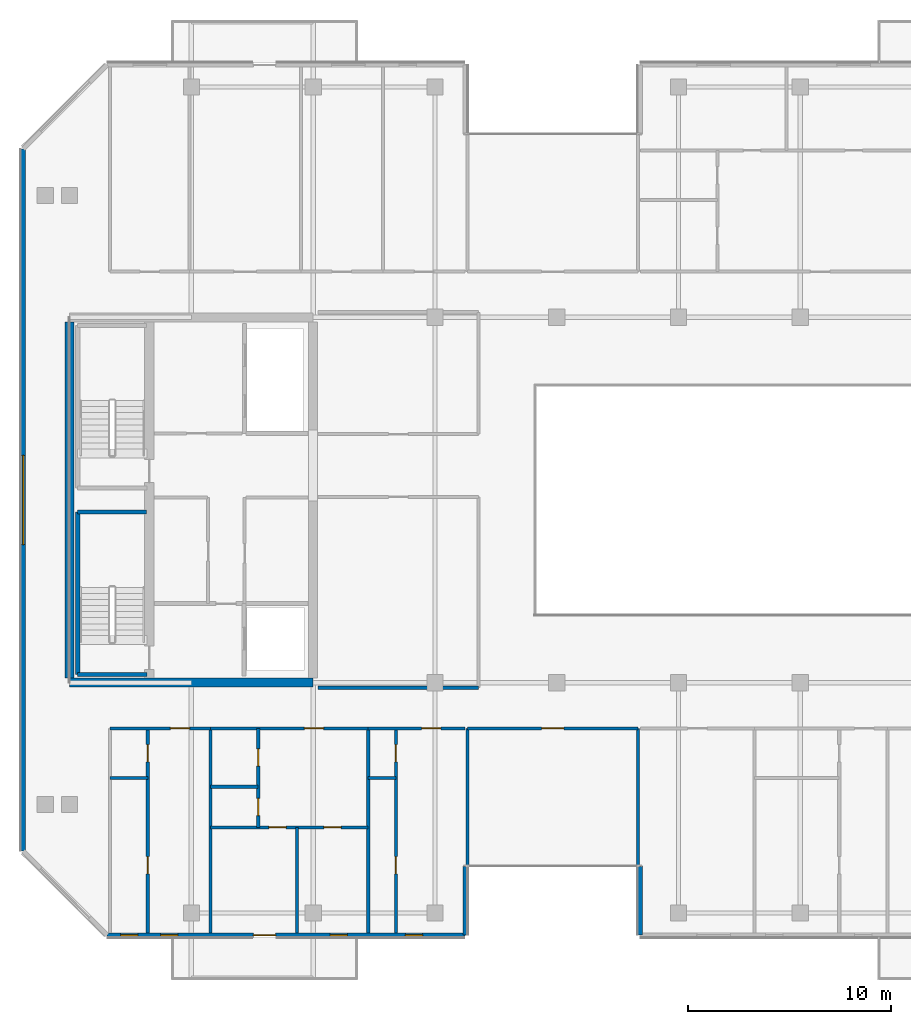
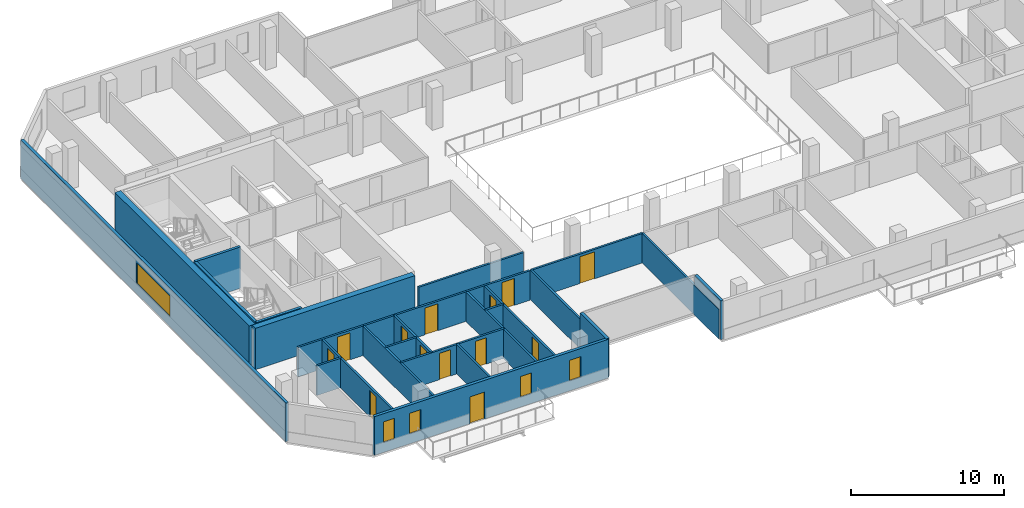
# One storey, part 6 of 16: 26 walls, 13 doors, 5 windows, 18 openings.
"""IFC4 building model written with IfcOpenShell, lengths in metres."""

from ifc_helpers import new_model, si_unit, direction, frame, frame_2d, origin, place, context, subcontext, project, spatial, rectangle, extrude, material, layer, layer_set, type_object, element, fill, save


model = new_model("IFC4")

# Units and contexts
model_context = context("Model", 3, precision=1e-05, world=origin(), true_north=direction((0.0, 1.0)))
body_context = subcontext(model_context, "Body", "Model", "MODEL_VIEW")
ifc_project = project(units=[si_unit("LENGTHUNIT", "METRE"), si_unit("AREAUNIT", "SQUARE_METRE"), si_unit("VOLUMEUNIT", "CUBIC_METRE"), si_unit("PLANEANGLEUNIT", "RADIAN"), si_unit("MASSUNIT", "GRAM", prefix="KILO")], contexts=[model_context])

# Site, building, storey
site_placement = place(None, origin())
site = spatial("IfcSite", under=ifc_project, at=site_placement, CompositionType="ELEMENT")
building_placement = place(site_placement, origin())
building = spatial("IfcBuilding", under=site, at=building_placement, Name="Tanjung Sevakor Pilgrim Tower", CompositionType="ELEMENT")
storey_placement = place(building_placement, frame((0.0, 0.0, 198.330078125)))
storey = spatial("IfcBuildingStorey", under=building, at=storey_placement, Name="L55", CompositionType="ELEMENT", Elevation=198.330078125)

# Walls
ifc_material_1 = material(Name="Concrete C60/75", Category="concrete")
ifc_layer_1 = layer(ifc_material_1, 0.449951171875)
ifc_layer_set_1 = layer_set([ifc_layer_1], Name="WALL-CW-450")
wall_type_1 = type_object("IfcWallType", Name="WALL-CW-450", PredefinedType="SHEAR", material=ifc_layer_set_1)
wall_1_placement = place(storey_placement, frame((24.0, 24.60009765625, 0.0), z_axis=(0.0, 0.0, 1.0), x_axis=(1.0, 0.0, 0.0)))
element("IfcWall", 1, at=wall_1_placement, inside=storey, type_object=wall_type_1, Name="L55 W Core South Shear Wall", PredefinedType="SHEAR", context=body_context, shape_type="SweptSolid", body=[
    extrude(rectangle(XDim=12.0, YDim=0.449951171875, at=frame_2d((6.0, 0.0))), origin(), (0.0, 0.0, 1.0), 3.2998046875),
])
wall_2_placement = place(storey_placement, frame((24.0, 24.824951171875, 0.0), z_axis=(0.0, 0.0, 1.0), x_axis=(0.0, 1.0, 0.0)))
element("IfcWall", 2, at=wall_2_placement, inside=storey, type_object=wall_type_1, Name="L55 W Core Outer Shear Wall", PredefinedType="SHEAR", context=body_context, shape_type="SweptSolid", body=[
    extrude(rectangle(XDim=17.550048828125, YDim=0.449951171875, at=frame_2d((8.77490234375, 0.0))), origin(), (0.0, 0.0, 1.0), 3.2998046875),
])
ifc_material_2 = material(Name="Concrete C40/50", Category="concrete")
ifc_layer_2 = layer(ifc_material_2, 0.14990234375)
ifc_layer_set_2 = layer_set([ifc_layer_2], Name="WT-COMP-150")
wall_type_2 = type_object("IfcWallType", Name="WT-COMP-150", PredefinedType="SOLIDWALL", material=ifc_layer_set_2)
wall_3_placement = place(storey_placement, frame((36.2451171875, 24.35009765625, 0.0), z_axis=(0.0, 0.0, 1.0), x_axis=(1.0, 0.0, 0.0)))
element("IfcWall", 3, at=wall_3_placement, inside=storey, type_object=wall_type_2, Name="L55 Partition IW-L55-019", PredefinedType="SOLIDWALL", context=body_context, shape_type="SweptSolid", body=[
    extrude(rectangle(XDim=7.90478515625, YDim=0.14990234375, at=frame_2d((3.952392578125, 0.0))), origin(), (0.0, 0.0, 1.0), 2.35009765625),
])

# Wall, opening, door
wall_4_placement = place(storey_placement, frame((43.60009765625, 22.35009765625, 0.0), z_axis=(0.0, 0.0, 1.0), x_axis=(1.0, 0.0, 0.0)))
wall_4 = element("IfcWall", 4, at=wall_4_placement, inside=storey, type_object=wall_type_2, Name="L55 Partition IW-L55-031", PredefinedType="SOLIDWALL", context=body_context, shape_type="SweptSolid", body=[
    extrude(rectangle(XDim=8.39990234375, YDim=0.14990234375, at=frame_2d((4.199951171875, 0.0))), origin(), (0.0, 0.0, 1.0), 2.35009765625),
])
opening_1_placement = place(wall_4_placement, frame((3.64990234375, 0.0, 0.0)))
opening_1 = element("IfcOpeningElement", 5, at=opening_1_placement, cuts=wall_4, Name="Opening ID-RM2", PredefinedType="OPENING", context=body_context, shape_type="SweptSolid", body=[
    extrude(rectangle(XDim=1.10009765625, YDim=2.14990234375, at=frame_2d((0.550048828125, 1.074951171875))), frame((0.0, 0.0849609375, 0.0), z_axis=(0.0, -1.0, 0.0), x_axis=(1.0, 0.0, 0.0)), (0.0, 0.0, 1.0), 0.169921875),
])
ifc_material_3 = material(Name="Hardwood Timber", Category="wood")
door_type_1 = type_object("IfcDoorType", Name="DT-INT-1100", OperationType="NOTDEFINED", PredefinedType="DOOR", material=ifc_material_3)
door_1_placement = place(opening_1_placement, origin())
door_1 = element("IfcDoor", 6, at=door_1_placement, inside=storey, type_object=door_type_1, Name="L55 South Cleft Communal Lounge Door", OperationType="SINGLE_SWING_RIGHT", OverallHeight=2.14990234375, OverallWidth=1.10009765625, PredefinedType="DOOR", context=body_context, shape_type="SweptSolid", body=[
    extrude(rectangle(XDim=1.10009765625, YDim=2.14990234375, at=frame_2d((0.550048828125, 1.074951171875))), frame((0.0, 0.02490234375, 0.0), z_axis=(0.0, -1.0, 0.0), x_axis=(1.0, 0.0, 0.0)), (0.0, 0.0, 1.0), 0.050048828125),
])
fill(opening_1, door_1)

# Walls
for number, where, z_axis, x_axis, name in (
    (7, (43.60009765625, 12.27001953125, 0.0), (0.0, 0.0, 1.0), (0.0, 1.0, 0.0), "L55 Partition IW-L55-032"),
    (8, (52.0, 12.27001953125, 0.0), (0.0, 0.0, 1.0), (0.0, 1.0, 0.0), "L55 Partition IW-L55-033"),
    (9, (30.94384765625, 12.27001953125, 0.0), (0.0, 0.0, 1.0), (0.0, 1.0, 0.0), "L55 Partition IW-L55-038"),
):
    element("IfcWall", number, at=place(storey_placement, frame(where, z_axis=z_axis, x_axis=x_axis)), inside=storey, type_object=wall_type_2, Name=name, PredefinedType="SOLIDWALL", context=body_context, shape_type="SweptSolid", body=[
        extrude(rectangle(XDim=10.080078125, YDim=0.14990234375, at=frame_2d((5.0400390625, 0.0))), origin(), (0.0, 0.0, 1.0), 2.35009765625),
    ])

# Wall, opening, door
wall_5_placement = place(storey_placement, frame((26.0, 22.35009765625, 0.0), z_axis=(0.0, 0.0, 1.0), x_axis=(1.0, 0.0, 0.0)))
wall_5 = element("IfcWall", 10, at=wall_5_placement, inside=storey, type_object=wall_type_2, Name="L55 Partition IW-L55-041", PredefinedType="SOLIDWALL", context=body_context, shape_type="SweptSolid", body=[
    extrude(rectangle(XDim=4.94384765625, YDim=0.14990234375, at=frame_2d((2.471923828125, 0.0))), origin(), (0.0, 0.0, 1.0), 2.35009765625),
])
opening_2_placement = place(wall_5_placement, frame((2.9619140625, 0.0, 0.0)))
opening_2 = element("IfcOpeningElement", 11, at=opening_2_placement, cuts=wall_5, Name="Opening ID-FD2", PredefinedType="OPENING", context=body_context, shape_type="SweptSolid", body=[
    extrude(rectangle(XDim=0.949951171875, YDim=2.14990234375, at=frame_2d((0.47509765625, 1.074951171875))), frame((0.0, 0.0849609375, 0.0), z_axis=(0.0, -1.0, 0.0), x_axis=(1.0, 0.0, 0.0)), (0.0, 0.0, 1.0), 0.169921875),
])
ifc_material_4 = material(Name="Fire-Rated Timber", Category="wood")
door_type_2 = type_object("IfcDoorType", Name="DT-FIRE-950", OperationType="NOTDEFINED", PredefinedType="DOOR", material=ifc_material_4)
door_2_placement = place(opening_2_placement, origin())
door_2 = element("IfcDoor", 12, at=door_2_placement, inside=storey, type_object=door_type_2, Name="Hostel Quad Entrance", OperationType="SINGLE_SWING_RIGHT", OverallHeight=2.14990234375, OverallWidth=0.949951171875, PredefinedType="DOOR", context=body_context, shape_type="SweptSolid", body=[
    extrude(rectangle(XDim=0.949951171875, YDim=2.14990234375, at=frame_2d((0.47509765625, 1.074951171875))), frame((0.0, 0.02490234375, 0.0), z_axis=(0.0, -1.0, 0.0), x_axis=(1.0, 0.0, 0.0)), (0.0, 0.0, 1.0), 0.050048828125),
])
fill(opening_2, door_2)

# Wall
wall_6_placement = place(storey_placement, frame((38.712646484375, 12.27001953125, 0.0), z_axis=(0.0, 0.0, 1.0), x_axis=(0.0, 1.0, 0.0)))
element("IfcWall", 13, at=wall_6_placement, inside=storey, type_object=wall_type_2, Name="L55 Partition IW-L55-042", PredefinedType="SOLIDWALL", context=body_context, shape_type="SweptSolid", body=[
    extrude(rectangle(XDim=10.080078125, YDim=0.14990234375, at=frame_2d((5.0400390625, 0.0))), origin(), (0.0, 0.0, 1.0), 2.35009765625),
])

# Wall, opening, door
wall_7_placement = place(storey_placement, frame((30.94384765625, 22.35009765625, 0.0), z_axis=(0.0, 0.0, 1.0), x_axis=(1.0, 0.0, 0.0)))
wall_7 = element("IfcWall", 14, at=wall_7_placement, inside=storey, type_object=wall_type_2, Name="L55 Partition IW-L55-047", PredefinedType="SOLIDWALL", context=body_context, shape_type="SweptSolid", body=[
    extrude(rectangle(XDim=7.768798828125, YDim=0.14990234375, at=frame_2d((3.88427734375, 0.0))), origin(), (0.0, 0.0, 1.0), 2.35009765625),
])
opening_3_placement = place(wall_7_placement, frame((4.62451171875, 0.0, 0.0)))
opening_3 = element("IfcOpeningElement", 15, at=opening_3_placement, cuts=wall_7, Name="Opening ID-FD2", PredefinedType="OPENING", context=body_context, shape_type="SweptSolid", body=[
    extrude(rectangle(XDim=0.949951171875, YDim=2.14990234375, at=frame_2d((0.47509765625, 1.074951171875))), frame((0.0, 0.0849609375, 0.0), z_axis=(0.0, -1.0, 0.0), x_axis=(1.0, 0.0, 0.0)), (0.0, 0.0, 1.0), 0.169921875),
])
door_3_placement = place(opening_3_placement, origin())
door_3 = element("IfcDoor", 16, at=door_3_placement, inside=storey, type_object=door_type_2, Name="Suite Entrance", OperationType="SINGLE_SWING_LEFT", OverallHeight=2.14990234375, OverallWidth=0.949951171875, PredefinedType="DOOR", context=body_context, shape_type="SweptSolid", body=[
    extrude(rectangle(XDim=0.949951171875, YDim=2.14990234375, at=frame_2d((0.47509765625, 1.074951171875))), frame((0.0, 0.02490234375, 0.0), z_axis=(0.0, -1.0, 0.0), x_axis=(1.0, 0.0, 0.0)), (0.0, 0.0, 1.0), 0.050048828125),
])
fill(opening_3, door_3)

wall_8_placement = place(storey_placement, frame((38.712646484375, 22.35009765625, 0.0), z_axis=(0.0, 0.0, 1.0), x_axis=(1.0, 0.0, 0.0)))
wall_8 = element("IfcWall", 17, at=wall_8_placement, inside=storey, type_object=wall_type_2, Name="L55 Partition IW-L55-050", PredefinedType="SOLIDWALL", context=body_context, shape_type="SweptSolid", body=[
    extrude(rectangle(XDim=4.767333984375, YDim=0.14990234375, at=frame_2d((2.3837890625, 0.0))), origin(), (0.0, 0.0, 1.0), 2.35009765625),
])
opening_4_placement = place(wall_8_placement, frame((2.63232421875, 0.0, 0.0)))
opening_4 = element("IfcOpeningElement", 18, at=opening_4_placement, cuts=wall_8, Name="Opening ID-FD2", PredefinedType="OPENING", context=body_context, shape_type="SweptSolid", body=[
    extrude(rectangle(XDim=0.949951171875, YDim=2.14990234375, at=frame_2d((0.47509765625, 1.074951171875))), frame((0.0, 0.0849609375, 0.0), z_axis=(0.0, -1.0, 0.0), x_axis=(1.0, 0.0, 0.0)), (0.0, 0.0, 1.0), 0.169921875),
])
door_4_placement = place(opening_4_placement, origin())
door_4 = element("IfcDoor", 19, at=door_4_placement, inside=storey, type_object=door_type_2, Name="Hotel Guestroom Entrance", OperationType="SINGLE_SWING_RIGHT", OverallHeight=2.14990234375, OverallWidth=0.949951171875, PredefinedType="DOOR", context=body_context, shape_type="SweptSolid", body=[
    extrude(rectangle(XDim=0.949951171875, YDim=2.14990234375, at=frame_2d((0.47509765625, 1.074951171875))), frame((0.0, 0.02490234375, 0.0), z_axis=(0.0, -1.0, 0.0), x_axis=(1.0, 0.0, 0.0)), (0.0, 0.0, 1.0), 0.050048828125),
])
fill(opening_4, door_4)

# Wall, openings, door, windows
ifc_material_5 = material(Name="Precast concrete C45/55", Category="concrete")
ifc_layer_3 = layer(ifc_material_5, 0.219970703125)
ifc_layer_set_3 = layer_set([ifc_layer_3], Name="WT-EW-STN4")
wall_type_3 = type_object("IfcWallType", Name="WT-EW-STN4", PredefinedType="SOLIDWALL", material=ifc_layer_set_3)
wall_9_placement = place(storey_placement, frame((25.845703125, 12.159912109375, 0.0), z_axis=(0.0, 0.0, 1.0), x_axis=(1.0, 0.0, 0.0)))
wall_9 = element("IfcWall", 20, at=wall_9_placement, inside=storey, type_object=wall_type_3, Name="L55 MAIN Exterior Wall 1", PredefinedType="SOLIDWALL", context=body_context, shape_type="SweptSolid", body=[
    extrude(rectangle(XDim=17.644287109375, YDim=0.219970703125, at=frame_2d((8.822265625, 0.0))), origin(), (0.0, 0.0, 1.0), 3.080078125),
])
opening_5_placement = place(wall_9_placement, frame((7.204345703125, 0.0, 0.0)))
opening_5 = element("IfcOpeningElement", 21, at=opening_5_placement, cuts=wall_9, Name="Opening ED-BAL-1100", PredefinedType="OPENING", context=body_context, shape_type="SweptSolid", body=[
    extrude(rectangle(XDim=1.10009765625, YDim=2.14990234375, at=frame_2d((0.550048828125, 1.074951171875))), frame((0.0, 0.119873046875, 0.0), z_axis=(0.0, -1.0, 0.0), x_axis=(1.0, 0.0, 0.0)), (0.0, 0.0, 1.0), 0.239990234375),
])
opening_6_placement = place(wall_9_placement, frame((0.664306640625, 0.0, 0.780029296875)))
opening_6 = element("IfcOpeningElement", 22, at=opening_6_placement, cuts=wall_9, Name="Opening WN-SLM", PredefinedType="OPENING", context=body_context, shape_type="SweptSolid", body=[
    extrude(rectangle(XDim=0.85009765625, YDim=1.64990234375, at=frame_2d((0.425048828125, 0.824951171875))), frame((0.0, 0.119873046875, 0.0), z_axis=(0.0, -1.0, 0.0), x_axis=(1.0, 0.0, 0.0)), (0.0, 0.0, 1.0), 0.239990234375),
])
opening_7_placement = place(wall_9_placement, frame((2.63623046875, 0.0, 0.780029296875)))
opening_7 = element("IfcOpeningElement", 23, at=opening_7_placement, cuts=wall_9, Name="Opening WN-SLM", PredefinedType="OPENING", context=body_context, shape_type="SweptSolid", body=[
    extrude(rectangle(XDim=0.85009765625, YDim=1.64990234375, at=frame_2d((0.425048828125, 0.824951171875))), frame((0.0, 0.119873046875, 0.0), z_axis=(0.0, -1.0, 0.0), x_axis=(1.0, 0.0, 0.0)), (0.0, 0.0, 1.0), 0.239990234375),
])
opening_8_placement = place(wall_9_placement, frame((10.99267578125, 0.0, 0.780029296875)))
opening_8 = element("IfcOpeningElement", 24, at=opening_8_placement, cuts=wall_9, Name="Opening WN-SLM", PredefinedType="OPENING", context=body_context, shape_type="SweptSolid", body=[
    extrude(rectangle(XDim=0.85009765625, YDim=1.64990234375, at=frame_2d((0.425048828125, 0.824951171875))), frame((0.0, 0.119873046875, 0.0), z_axis=(0.0, -1.0, 0.0), x_axis=(1.0, 0.0, 0.0)), (0.0, 0.0, 1.0), 0.239990234375),
])
opening_9_placement = place(wall_9_placement, frame((14.699462890625, 0.0, 0.780029296875)))
opening_9 = element("IfcOpeningElement", 25, at=opening_9_placement, cuts=wall_9, Name="Opening WN-SLM", PredefinedType="OPENING", context=body_context, shape_type="SweptSolid", body=[
    extrude(rectangle(XDim=0.85009765625, YDim=1.64990234375, at=frame_2d((0.425048828125, 0.824951171875))), frame((0.0, 0.119873046875, 0.0), z_axis=(0.0, -1.0, 0.0), x_axis=(1.0, 0.0, 0.0)), (0.0, 0.0, 1.0), 0.239990234375),
])
ifc_material_6 = material(Name="Anodised Aluminium and Laminated Glass", Category="aluminium")
door_type_3 = type_object("IfcDoorType", Name="DTYP-ED-BAL-1100", OperationType="NOTDEFINED", PredefinedType="DOOR", material=ifc_material_6)
door_5_placement = place(opening_5_placement, frame((1.10009765625, 0.0, 0.0), z_axis=(0.0, 0.0, 1.0), x_axis=(-1.0, 0.0, 0.0)))
door_5 = element("IfcDoor", 26, at=door_5_placement, inside=storey, type_object=door_type_3, Name="L55 Balcony Door MAIN-S1", OperationType="SINGLE_SWING_LEFT", OverallHeight=2.14990234375, OverallWidth=1.10009765625, PredefinedType="DOOR", context=body_context, shape_type="SweptSolid", body=[
    extrude(rectangle(XDim=1.10009765625, YDim=2.14990234375, at=frame_2d((0.550048828125, 1.074951171875))), frame((0.0, 0.02490234375, 0.0), z_axis=(0.0, -1.0, 0.0), x_axis=(1.0, 0.0, 0.0)), (0.0, 0.0, 1.0), 0.050048828125),
])
fill(opening_5, door_5)
ifc_material_7 = material(Name="Thermally Broken Aluminium and Low-E Glass", Category="aluminium")
window_type_1 = type_object("IfcWindowType", Name="WTYP-WN-SLM", PartitioningType="SINGLE_PANEL", PredefinedType="WINDOW", material=ifc_material_7)
window_1_placement = place(opening_6_placement, origin())
window_1 = element("IfcWindow", 27, at=window_1_placement, inside=storey, type_object=window_type_1, Name="L55 Facade Window 01", OverallHeight=1.64990234375, OverallWidth=0.85009765625, PartitioningType="SINGLE_PANEL", PredefinedType="WINDOW", context=body_context, shape_type="SweptSolid", body=[
    extrude(rectangle(XDim=0.85009765625, YDim=1.64990234375, at=frame_2d((0.425048828125, 0.824951171875))), frame((0.0, 0.030029296875, 0.0), z_axis=(0.0, -1.0, 0.0), x_axis=(1.0, 0.0, 0.0)), (0.0, 0.0, 1.0), 0.06005859375),
])
fill(opening_6, window_1)
window_2_placement = place(opening_7_placement, origin())
window_2 = element("IfcWindow", 28, at=window_2_placement, inside=storey, type_object=window_type_1, Name="L55 Facade Window 02", OverallHeight=1.64990234375, OverallWidth=0.85009765625, PartitioningType="SINGLE_PANEL", PredefinedType="WINDOW", context=body_context, shape_type="SweptSolid", body=[
    extrude(rectangle(XDim=0.85009765625, YDim=1.64990234375, at=frame_2d((0.425048828125, 0.824951171875))), frame((0.0, 0.030029296875, 0.0), z_axis=(0.0, -1.0, 0.0), x_axis=(1.0, 0.0, 0.0)), (0.0, 0.0, 1.0), 0.06005859375),
])
fill(opening_7, window_2)
window_3_placement = place(opening_8_placement, origin())
window_3 = element("IfcWindow", 29, at=window_3_placement, inside=storey, type_object=window_type_1, Name="L55 Facade Window 03", OverallHeight=1.64990234375, OverallWidth=0.85009765625, PartitioningType="SINGLE_PANEL", PredefinedType="WINDOW", context=body_context, shape_type="SweptSolid", body=[
    extrude(rectangle(XDim=0.85009765625, YDim=1.64990234375, at=frame_2d((0.425048828125, 0.824951171875))), frame((0.0, 0.030029296875, 0.0), z_axis=(0.0, -1.0, 0.0), x_axis=(1.0, 0.0, 0.0)), (0.0, 0.0, 1.0), 0.06005859375),
])
fill(opening_8, window_3)
window_4_placement = place(opening_9_placement, origin())
window_4 = element("IfcWindow", 30, at=window_4_placement, inside=storey, type_object=window_type_1, Name="L55 Facade Window 04", OverallHeight=1.64990234375, OverallWidth=0.85009765625, PartitioningType="SINGLE_PANEL", PredefinedType="WINDOW", context=body_context, shape_type="SweptSolid", body=[
    extrude(rectangle(XDim=0.85009765625, YDim=1.64990234375, at=frame_2d((0.425048828125, 0.824951171875))), frame((0.0, 0.030029296875, 0.0), z_axis=(0.0, -1.0, 0.0), x_axis=(1.0, 0.0, 0.0)), (0.0, 0.0, 1.0), 0.06005859375),
])
fill(opening_9, window_4)

# Walls
for number, where, z_axis, x_axis, name in (
    (31, (43.489990234375, 12.159912109375, 0.0), (0.0, 0.0, 1.0), (0.0, 1.0, 0.0), "L55 MAIN Exterior Wall 2"),
    (32, (52.110107421875, 15.56005859375, 0.0), (0.0, 0.0, 1.0), (0.0, -1.0, 0.0), "L55 MAIN Exterior Wall 4"),
):
    element("IfcWall", number, at=place(storey_placement, frame(where, z_axis=z_axis, x_axis=x_axis)), inside=storey, type_object=wall_type_3, Name=name, PredefinedType="SOLIDWALL", context=body_context, shape_type="SweptSolid", body=[
        extrude(rectangle(XDim=3.400146484375, YDim=0.219970703125, at=frame_2d((1.7001953125, 0.0))), origin(), (0.0, 0.0, 1.0), 3.080078125),
    ])

# Wall, opening, window
wall_10_placement = place(storey_placement, frame((21.7099609375, 50.904296875, 0.0), z_axis=(0.0, 0.0, 1.0), x_axis=(0.0, -1.0, 0.0)))
wall_10 = element("IfcWall", 33, at=wall_10_placement, inside=storey, type_object=wall_type_3, Name="L55 MAIN Exterior Wall 15", PredefinedType="SOLIDWALL", context=body_context, shape_type="SweptSolid", body=[
    extrude(rectangle(XDim=34.608642578125, YDim=0.219970703125, at=frame_2d((17.30419921875, 0.0))), origin(), (0.0, 0.0, 1.0), 3.080078125),
])
opening_10_placement = place(wall_10_placement, frame((15.1044921875, 0.0, 0.780029296875)))
opening_10 = element("IfcOpeningElement", 34, at=opening_10_placement, cuts=wall_10, Name="Opening WN-ENDW-1660", PredefinedType="OPENING", context=body_context, shape_type="SweptSolid", body=[
    extrude(rectangle(XDim=4.39990234375, YDim=1.659912109375, at=frame_2d((2.199951171875, 0.830078125))), frame((0.0, 0.119873046875, 0.0), z_axis=(0.0, -1.0, 0.0), x_axis=(1.0, 0.0, 0.0)), (0.0, 0.0, 1.0), 0.239990234375),
])
ifc_material_8 = material(Name="Thermally Broken Aluminium and Low-E Glass", Category="aluminium")
window_type_2 = type_object("IfcWindowType", Name="WTYP-WN-ENDW-1660", PartitioningType="DOUBLE_PANEL_VERTICAL", PredefinedType="WINDOW", material=ifc_material_8)
window_5_placement = place(opening_10_placement, origin())
window_5 = element("IfcWindow", 35, at=window_5_placement, inside=storey, type_object=window_type_2, Name="L55 Facade Window 01", OverallHeight=1.659912109375, OverallWidth=4.39990234375, PartitioningType="SINGLE_PANEL", PredefinedType="WINDOW", context=body_context, shape_type="SweptSolid", body=[
    extrude(rectangle(XDim=4.39990234375, YDim=1.659912109375, at=frame_2d((2.199951171875, 0.830078125))), frame((0.0, 0.030029296875, 0.0), z_axis=(0.0, -1.0, 0.0), x_axis=(1.0, 0.0, 0.0)), (0.0, 0.0, 1.0), 0.06005859375),
])
fill(opening_10, window_5)

# Walls
ifc_material_9 = material(Name="Concrete C40/50", Category="concrete")
ifc_layer_4 = layer(ifc_material_9, 0.199951171875)
ifc_layer_set_4 = layer_set([ifc_layer_4], Name="WT-FIRE-200")
wall_type_4 = type_object("IfcWallType", Name="WT-FIRE-200", PredefinedType="SOLIDWALL", material=ifc_layer_set_4)
for number, where, z_axis, x_axis, name in (
    (36, (24.39990234375, 25.0, 0.0), (0.0, 0.0, 1.0), (1.0, 0.0, 0.0), "L55 TS-W1 Shaft Wall 1"),
    (37, (27.800048828125, 33.0, 0.0), (0.0, 0.0, 1.0), (-1.0, 0.0, 0.0), "L55 TS-W1 Shaft Wall 2"),
):
    element("IfcWall", number, at=place(storey_placement, frame(where, z_axis=z_axis, x_axis=x_axis)), inside=storey, type_object=wall_type_4, Name=name, PredefinedType="SOLIDWALL", context=body_context, shape_type="SweptSolid", body=[
        extrude(rectangle(XDim=3.400146484375, YDim=0.199951171875, at=frame_2d((1.7001953125, 0.0))), origin(), (0.0, 0.0, 1.0), 3.2998046875),
    ])
wall_11_placement = place(storey_placement, frame((24.39990234375, 33.0, 0.0), z_axis=(0.0, 0.0, 1.0), x_axis=(0.0, -1.0, 0.0)))
element("IfcWall", 38, at=wall_11_placement, inside=storey, type_object=wall_type_4, Name="L55 TS-W1 Shaft Wall 3", PredefinedType="SOLIDWALL", context=body_context, shape_type="SweptSolid", body=[
    extrude(rectangle(XDim=8.0, YDim=0.199951171875, at=frame_2d((4.0, 0.0))), origin(), (0.0, 0.0, 1.0), 3.2998046875),
])
ifc_material_10 = material(Name="Gypsum Board Partition", Category="gypsum board")
ifc_layer_5 = layer(ifc_material_10, 0.14990234375)
ifc_layer_set_5 = layer_set([ifc_layer_5], Name="WT-PART-150")
wall_type_5 = type_object("IfcWallType", Name="WT-PART-150", PredefinedType="PARTITIONING", material=ifc_layer_set_5)
wall_12_placement = place(storey_placement, frame((26.0, 19.89990234375, 0.0), z_axis=(0.0, 0.0, 1.0), x_axis=(1.0, 0.0, 0.0)))
element("IfcWall", 39, at=wall_12_placement, inside=storey, type_object=wall_type_5, Name="L55 Partition IW-L55-039", PredefinedType="PARTITIONING", context=body_context, shape_type="SweptSolid", body=[
    extrude(rectangle(XDim=1.85009765625, YDim=0.14990234375, at=frame_2d((0.925048828125, 0.0))), origin(), (0.0, 0.0, 1.0), 2.35009765625),
])

# Wall, openings, doors
wall_13_placement = place(storey_placement, frame((27.85009765625, 12.27001953125, 0.0), z_axis=(0.0, 0.0, 1.0), x_axis=(0.0, 1.0, 0.0)))
wall_13 = element("IfcWall", 40, at=wall_13_placement, inside=storey, type_object=wall_type_5, Name="L55 Partition IW-L55-040", PredefinedType="PARTITIONING", context=body_context, shape_type="SweptSolid", body=[
    extrude(rectangle(XDim=10.080078125, YDim=0.14990234375, at=frame_2d((5.0400390625, 0.0))), origin(), (0.0, 0.0, 1.0), 2.35009765625),
])
opening_11_placement = place(wall_13_placement, frame((2.912109375, 0.0, 0.0)))
opening_11 = element("IfcOpeningElement", 41, at=opening_11_placement, cuts=wall_13, Name="Opening ID-WC1", PredefinedType="OPENING", context=body_context, shape_type="SweptSolid", body=[
    extrude(rectangle(XDim=0.85009765625, YDim=2.10009765625, at=frame_2d((0.425048828125, 1.050048828125))), frame((0.0, 0.0849609375, 0.0), z_axis=(0.0, -1.0, 0.0), x_axis=(1.0, 0.0, 0.0)), (0.0, 0.0, 1.0), 0.169921875),
])
opening_12_placement = place(wall_13_placement, frame((8.429931640625, 0.0, 0.0)))
opening_12 = element("IfcOpeningElement", 42, at=opening_12_placement, cuts=wall_13, Name="Opening ID-WC1", PredefinedType="OPENING", context=body_context, shape_type="SweptSolid", body=[
    extrude(rectangle(XDim=0.85009765625, YDim=2.10009765625, at=frame_2d((0.425048828125, 1.050048828125))), frame((0.0, 0.0849609375, 0.0), z_axis=(0.0, -1.0, 0.0), x_axis=(1.0, 0.0, 0.0)), (0.0, 0.0, 1.0), 0.169921875),
])
ifc_material_11 = material(Name="Moisture-Resistant Timber", Category="wood")
door_type_4 = type_object("IfcDoorType", Name="DT-INT-850", OperationType="NOTDEFINED", PredefinedType="DOOR", material=ifc_material_11)
door_6_placement = place(opening_11_placement, origin())
door_6 = element("IfcDoor", 43, at=door_6_placement, inside=storey, type_object=door_type_4, Name="Study Nook Door", OperationType="SINGLE_SWING_RIGHT", OverallHeight=2.10009765625, OverallWidth=0.85009765625, PredefinedType="DOOR", context=body_context, shape_type="SweptSolid", body=[
    extrude(rectangle(XDim=0.85009765625, YDim=2.10009765625, at=frame_2d((0.425048828125, 1.050048828125))), frame((0.0, 0.02490234375, 0.0), z_axis=(0.0, -1.0, 0.0), x_axis=(1.0, 0.0, 0.0)), (0.0, 0.0, 1.0), 0.050048828125),
])
fill(opening_11, door_6)
door_7_placement = place(opening_12_placement, origin())
door_7 = element("IfcDoor", 44, at=door_7_placement, inside=storey, type_object=door_type_4, Name="Bathroom Door", OperationType="SINGLE_SWING_LEFT", OverallHeight=2.10009765625, OverallWidth=0.85009765625, PredefinedType="DOOR", context=body_context, shape_type="SweptSolid", body=[
    extrude(rectangle(XDim=0.85009765625, YDim=2.10009765625, at=frame_2d((0.425048828125, 1.050048828125))), frame((0.0, 0.02490234375, 0.0), z_axis=(0.0, -1.0, 0.0), x_axis=(1.0, 0.0, 0.0)), (0.0, 0.0, 1.0), 0.050048828125),
])
fill(opening_12, door_7)

# Wall
wall_14_placement = place(storey_placement, frame((30.94384765625, 19.470703125, 0.0), z_axis=(0.0, 0.0, 1.0), x_axis=(1.0, 0.0, 0.0)))
element("IfcWall", 45, at=wall_14_placement, inside=storey, type_object=wall_type_5, Name="L55 Partition IW-L55-043", PredefinedType="PARTITIONING", context=body_context, shape_type="SweptSolid", body=[
    extrude(rectangle(XDim=2.349853515625, YDim=0.14990234375, at=frame_2d((1.1748046875, 0.0))), origin(), (0.0, 0.0, 1.0), 2.35009765625),
])

# Wall, openings, doors
wall_15_placement = place(storey_placement, frame((33.293701171875, 17.469970703125, 0.0), z_axis=(0.0, 0.0, 1.0), x_axis=(0.0, 1.0, 0.0)))
wall_15 = element("IfcWall", 46, at=wall_15_placement, inside=storey, type_object=wall_type_5, Name="L55 Partition IW-L55-044", PredefinedType="PARTITIONING", context=body_context, shape_type="SweptSolid", body=[
    extrude(rectangle(XDim=4.880126953125, YDim=0.14990234375, at=frame_2d((2.43994140625, 0.0))), origin(), (0.0, 0.0, 1.0), 2.35009765625),
])
opening_13_placement = place(wall_15_placement, frame((0.575439453125, 0.0, 0.0)))
opening_13 = element("IfcOpeningElement", 47, at=opening_13_placement, cuts=wall_15, Name="Opening ID-WC1", PredefinedType="OPENING", context=body_context, shape_type="SweptSolid", body=[
    extrude(rectangle(XDim=0.85009765625, YDim=2.10009765625, at=frame_2d((0.425048828125, 1.050048828125))), frame((0.0, 0.0849609375, 0.0), z_axis=(0.0, -1.0, 0.0), x_axis=(1.0, 0.0, 0.0)), (0.0, 0.0, 1.0), 0.169921875),
])
opening_14_placement = place(wall_15_placement, frame((3.015380859375, 0.0, 0.0)))
opening_14 = element("IfcOpeningElement", 48, at=opening_14_placement, cuts=wall_15, Name="Opening ID-WC1", PredefinedType="OPENING", context=body_context, shape_type="SweptSolid", body=[
    extrude(rectangle(XDim=0.85009765625, YDim=2.10009765625, at=frame_2d((0.425048828125, 1.050048828125))), frame((0.0, 0.0849609375, 0.0), z_axis=(0.0, -1.0, 0.0), x_axis=(1.0, 0.0, 0.0)), (0.0, 0.0, 1.0), 0.169921875),
])
door_8_placement = place(opening_13_placement, origin())
door_8 = element("IfcDoor", 49, at=door_8_placement, inside=storey, type_object=door_type_4, Name="Suite Bathroom Door", OperationType="SINGLE_SWING_LEFT", OverallHeight=2.10009765625, OverallWidth=0.85009765625, PredefinedType="DOOR", context=body_context, shape_type="SweptSolid", body=[
    extrude(rectangle(XDim=0.85009765625, YDim=2.10009765625, at=frame_2d((0.425048828125, 1.050048828125))), frame((0.0, 0.02490234375, 0.0), z_axis=(0.0, -1.0, 0.0), x_axis=(1.0, 0.0, 0.0)), (0.0, 0.0, 1.0), 0.050048828125),
])
fill(opening_13, door_8)
door_9_placement = place(opening_14_placement, origin())
door_9 = element("IfcDoor", 50, at=door_9_placement, inside=storey, type_object=door_type_4, Name="Suite Kitchenette Door", OperationType="SINGLE_SWING_RIGHT", OverallHeight=2.10009765625, OverallWidth=0.85009765625, PredefinedType="DOOR", context=body_context, shape_type="SweptSolid", body=[
    extrude(rectangle(XDim=0.85009765625, YDim=2.10009765625, at=frame_2d((0.425048828125, 1.050048828125))), frame((0.0, 0.02490234375, 0.0), z_axis=(0.0, -1.0, 0.0), x_axis=(1.0, 0.0, 0.0)), (0.0, 0.0, 1.0), 0.050048828125),
])
fill(opening_14, door_9)

# Wall
wall_16_placement = place(storey_placement, frame((35.19384765625, 12.27001953125, 0.0), z_axis=(0.0, 0.0, 1.0), x_axis=(0.0, 1.0, 0.0)))
element("IfcWall", 51, at=wall_16_placement, inside=storey, type_object=wall_type_5, Name="L55 Partition IW-L55-045", PredefinedType="PARTITIONING", context=body_context, shape_type="SweptSolid", body=[
    extrude(rectangle(XDim=5.199951171875, YDim=0.14990234375, at=frame_2d((2.60009765625, 0.0))), origin(), (0.0, 0.0, 1.0), 2.35009765625),
])

# Wall, openings, doors
wall_17_placement = place(storey_placement, frame((30.94384765625, 17.469970703125, 0.0), z_axis=(0.0, 0.0, 1.0), x_axis=(1.0, 0.0, 0.0)))
wall_17 = element("IfcWall", 52, at=wall_17_placement, inside=storey, type_object=wall_type_5, Name="L55 Partition IW-L55-046", PredefinedType="PARTITIONING", context=body_context, shape_type="SweptSolid", body=[
    extrude(rectangle(XDim=7.768798828125, YDim=0.14990234375, at=frame_2d((3.88427734375, 0.0))), origin(), (0.0, 0.0, 1.0), 2.35009765625),
])
opening_15_placement = place(wall_17_placement, frame((2.875, 0.0, 0.0)))
opening_15 = element("IfcOpeningElement", 53, at=opening_15_placement, cuts=wall_17, Name="Opening ID-WC1", PredefinedType="OPENING", context=body_context, shape_type="SweptSolid", body=[
    extrude(rectangle(XDim=0.85009765625, YDim=2.10009765625, at=frame_2d((0.425048828125, 1.050048828125))), frame((0.0, 0.0849609375, 0.0), z_axis=(0.0, -1.0, 0.0), x_axis=(1.0, 0.0, 0.0)), (0.0, 0.0, 1.0), 0.169921875),
])
opening_16_placement = place(wall_17_placement, frame((5.58447265625, 0.0, 0.0)))
opening_16 = element("IfcOpeningElement", 54, at=opening_16_placement, cuts=wall_17, Name="Opening ID-WC1", PredefinedType="OPENING", context=body_context, shape_type="SweptSolid", body=[
    extrude(rectangle(XDim=0.85009765625, YDim=2.10009765625, at=frame_2d((0.425048828125, 1.050048828125))), frame((0.0, 0.0849609375, 0.0), z_axis=(0.0, -1.0, 0.0), x_axis=(1.0, 0.0, 0.0)), (0.0, 0.0, 1.0), 0.169921875),
])
door_10_placement = place(opening_15_placement, origin())
door_10 = element("IfcDoor", 55, at=door_10_placement, inside=storey, type_object=door_type_4, Name="Suite Bedroom 1 Door", OperationType="SINGLE_SWING_LEFT", OverallHeight=2.10009765625, OverallWidth=0.85009765625, PredefinedType="DOOR", context=body_context, shape_type="SweptSolid", body=[
    extrude(rectangle(XDim=0.85009765625, YDim=2.10009765625, at=frame_2d((0.425048828125, 1.050048828125))), frame((0.0, 0.02490234375, 0.0), z_axis=(0.0, -1.0, 0.0), x_axis=(1.0, 0.0, 0.0)), (0.0, 0.0, 1.0), 0.050048828125),
])
fill(opening_15, door_10)
door_11_placement = place(opening_16_placement, origin())
door_11 = element("IfcDoor", 56, at=door_11_placement, inside=storey, type_object=door_type_4, Name="Suite Bedroom 2 Door", OperationType="SINGLE_SWING_RIGHT", OverallHeight=2.10009765625, OverallWidth=0.85009765625, PredefinedType="DOOR", context=body_context, shape_type="SweptSolid", body=[
    extrude(rectangle(XDim=0.85009765625, YDim=2.10009765625, at=frame_2d((0.425048828125, 1.050048828125))), frame((0.0, 0.02490234375, 0.0), z_axis=(0.0, -1.0, 0.0), x_axis=(1.0, 0.0, 0.0)), (0.0, 0.0, 1.0), 0.050048828125),
])
fill(opening_16, door_11)

# Wall
wall_18_placement = place(storey_placement, frame((38.712646484375, 19.89990234375, 0.0), z_axis=(0.0, 0.0, 1.0), x_axis=(1.0, 0.0, 0.0)))
element("IfcWall", 57, at=wall_18_placement, inside=storey, type_object=wall_type_5, Name="L55 Partition IW-L55-048", PredefinedType="PARTITIONING", context=body_context, shape_type="SweptSolid", body=[
    extrude(rectangle(XDim=1.367431640625, YDim=0.14990234375, at=frame_2d((0.68359375, 0.0))), origin(), (0.0, 0.0, 1.0), 2.35009765625),
])

# Wall, openings, doors
wall_19_placement = place(storey_placement, frame((40.080078125, 12.27001953125, 0.0), z_axis=(0.0, 0.0, 1.0), x_axis=(0.0, 1.0, 0.0)))
wall_19 = element("IfcWall", 58, at=wall_19_placement, inside=storey, type_object=wall_type_5, Name="L55 Partition IW-L55-049", PredefinedType="PARTITIONING", context=body_context, shape_type="SweptSolid", body=[
    extrude(rectangle(XDim=10.080078125, YDim=0.14990234375, at=frame_2d((5.0400390625, 0.0))), origin(), (0.0, 0.0, 1.0), 2.35009765625),
])
opening_17_placement = place(wall_19_placement, frame((2.912109375, 0.0, 0.0)))
opening_17 = element("IfcOpeningElement", 59, at=opening_17_placement, cuts=wall_19, Name="Opening ID-WC1", PredefinedType="OPENING", context=body_context, shape_type="SweptSolid", body=[
    extrude(rectangle(XDim=0.85009765625, YDim=2.10009765625, at=frame_2d((0.425048828125, 1.050048828125))), frame((0.0, 0.0849609375, 0.0), z_axis=(0.0, -1.0, 0.0), x_axis=(1.0, 0.0, 0.0)), (0.0, 0.0, 1.0), 0.169921875),
])
opening_18_placement = place(wall_19_placement, frame((8.429931640625, 0.0, 0.0)))
opening_18 = element("IfcOpeningElement", 60, at=opening_18_placement, cuts=wall_19, Name="Opening ID-WC1", PredefinedType="OPENING", context=body_context, shape_type="SweptSolid", body=[
    extrude(rectangle(XDim=0.85009765625, YDim=2.10009765625, at=frame_2d((0.425048828125, 1.050048828125))), frame((0.0, 0.0849609375, 0.0), z_axis=(0.0, -1.0, 0.0), x_axis=(1.0, 0.0, 0.0)), (0.0, 0.0, 1.0), 0.169921875),
])
door_12_placement = place(opening_17_placement, origin())
door_12 = element("IfcDoor", 61, at=door_12_placement, inside=storey, type_object=door_type_4, Name="Study Nook Door", OperationType="SINGLE_SWING_RIGHT", OverallHeight=2.10009765625, OverallWidth=0.85009765625, PredefinedType="DOOR", context=body_context, shape_type="SweptSolid", body=[
    extrude(rectangle(XDim=0.85009765625, YDim=2.10009765625, at=frame_2d((0.425048828125, 1.050048828125))), frame((0.0, 0.02490234375, 0.0), z_axis=(0.0, -1.0, 0.0), x_axis=(1.0, 0.0, 0.0)), (0.0, 0.0, 1.0), 0.050048828125),
])
fill(opening_17, door_12)
door_13_placement = place(opening_18_placement, origin())
door_13 = element("IfcDoor", 62, at=door_13_placement, inside=storey, type_object=door_type_4, Name="Bathroom Door", OperationType="SINGLE_SWING_LEFT", OverallHeight=2.10009765625, OverallWidth=0.85009765625, PredefinedType="DOOR", context=body_context, shape_type="SweptSolid", body=[
    extrude(rectangle(XDim=0.85009765625, YDim=2.10009765625, at=frame_2d((0.425048828125, 1.050048828125))), frame((0.0, 0.02490234375, 0.0), z_axis=(0.0, -1.0, 0.0), x_axis=(1.0, 0.0, 0.0)), (0.0, 0.0, 1.0), 0.050048828125),
])
fill(opening_18, door_13)

save(model, "model.ifc")
